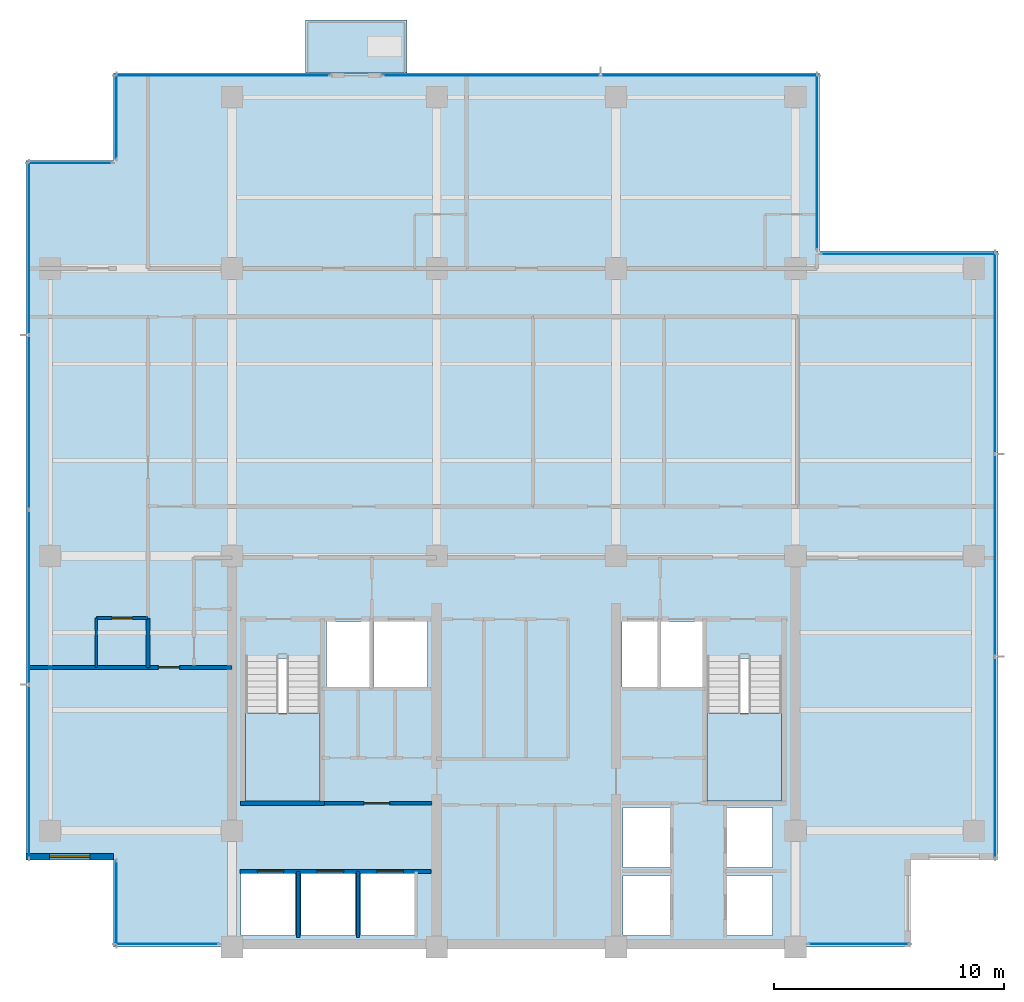
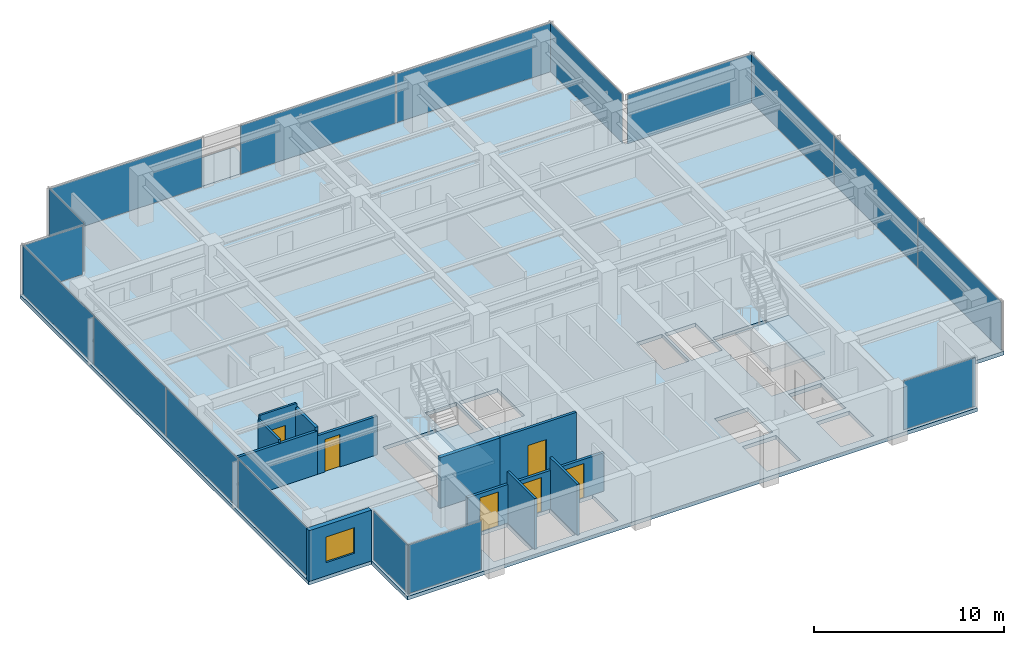
# One storey, part 6 of 14: 17 plates, 11 walls, 6 doors, 4 slabs, 1 window, 7 openings, 13 elements without a shape of their own.
"""IFC4 building model written with IfcOpenShell, lengths in metres."""

from ifc_helpers import new_model, si_unit, direction, frame, frame_2d, origin, origin_2d, place, context, subcontext, project, spatial, polyline, rectangle, outline, extrude, material, layer, layer_set, type_object, element, fill, aggregate, save


model = new_model("IFC4")

# Units and contexts
model_context = context("Model", 3, precision=1e-05, world=origin(), true_north=direction((0.0, 1.0)))
body_context = subcontext(model_context, "Body", "Model", "MODEL_VIEW")
ifc_project = project(units=[si_unit("LENGTHUNIT", "METRE"), si_unit("AREAUNIT", "SQUARE_METRE"), si_unit("VOLUMEUNIT", "CUBIC_METRE"), si_unit("PLANEANGLEUNIT", "RADIAN"), si_unit("MASSUNIT", "GRAM", prefix="KILO")], contexts=[model_context])

# Site, building, storey
site_placement = place(None, origin())
site = spatial("IfcSite", under=ifc_project, at=site_placement, CompositionType="ELEMENT")
building_placement = place(site_placement, origin())
building = spatial("IfcBuilding", under=site, at=building_placement, Name="Qalmaran Belvedere Hotel", CompositionType="ELEMENT")
storey_placement = place(building_placement, frame((0.0, 0.0, 224.89990234375)))
storey = spatial("IfcBuildingStorey", under=building, at=storey_placement, Name="L57", CompositionType="ELEMENT", Elevation=224.89990234375)

# Curtain wall, plate
ifc_material_1 = material(Name="Anodised Bronze Aluminium", Category="aluminium")
ifc_layer_1 = layer(ifc_material_1, 0.18994140625, Name="Anodised Bronze Aluminium")
ifc_layer_set_1 = layer_set([ifc_layer_1], Name="Anodised Bronze Aluminium")
curtain_wall_type = type_object("IfcCurtainWallType", Name="CW5-TOWER-UPPER", PredefinedType="NOTDEFINED", material=ifc_layer_set_1)
curtain_wall_1_placement = place(storey_placement, origin())
curtain_wall_1 = element("IfcCurtainWall", 1, at=curtain_wall_1_placement, inside=storey, type_object=curtain_wall_type, Name="L57 Curtain Wall CW5", PredefinedType="NOTDEFINED")
ifc_material_2 = material(Name="Solar-Control Double Glazing", Category="glass")
ifc_layer_2 = layer(ifc_material_2, 0.028076171875, Name="Solar-Control Double Glazing")
ifc_layer_set_2 = layer_set([ifc_layer_2], Name="Solar-Control Double Glazing")
plate_type = type_object("IfcPlateType", Name="CWP-VISION-28", PredefinedType="CURTAIN_PANEL", material=ifc_layer_set_2)
plate_1_placement = place(storey_placement, frame((17.467529296875, 3.6201171875, 0.065185546875), z_axis=(0.0, 0.0, 1.0), x_axis=(1.0, 0.0, 0.0)))
plate_1 = element("IfcPlate", 2, at=plate_1_placement, type_object=plate_type, Name="CW5 panel 1.1", PredefinedType="CURTAIN_PANEL", context=body_context, shape_type="SweptSolid", body=[
    extrude(rectangle(XDim=4.5048828125, YDim=0.028076171875, at=origin_2d()), origin(), (0.0, 0.0, 1.0), 3.1298828125),
])
aggregate(curtain_wall_1, [plate_1])

curtain_wall_2_placement = place(storey_placement, origin())
curtain_wall_2 = element("IfcCurtainWall", 3, at=curtain_wall_2_placement, inside=storey, type_object=curtain_wall_type, Name="L57 Curtain Wall CW5", PredefinedType="NOTDEFINED")
plate_2_placement = place(storey_placement, frame((47.5576171875, 3.6201171875, 0.065185546875), z_axis=(0.0, 0.0, 1.0), x_axis=(1.0, 0.0, 0.0)))
plate_2 = element("IfcPlate", 4, at=plate_2_placement, type_object=plate_type, Name="CW5 panel 1.1", PredefinedType="CURTAIN_PANEL", context=body_context, shape_type="SweptSolid", body=[
    extrude(rectangle(XDim=4.35498046875, YDim=0.028076171875, at=origin_2d()), origin(), (0.0, 0.0, 1.0), 3.1298828125),
])
aggregate(curtain_wall_2, [plate_2])

# Curtain wall, plates
curtain_wall_3_placement = place(storey_placement, origin())
curtain_wall_3 = element("IfcCurtainWall", 5, at=curtain_wall_3_placement, inside=storey, type_object=curtain_wall_type, Name="L57 Curtain Wall CW5", PredefinedType="NOTDEFINED")
plate_3_placement = place(storey_placement, frame((53.47998046875, 11.724609375, 0.065185546875), z_axis=(0.0, 0.0, 1.0), x_axis=(0.0, 1.0, 0.0)))
plate_3 = element("IfcPlate", 6, at=plate_3_placement, type_object=plate_type, Name="CW5 panel 1.1", PredefinedType="CURTAIN_PANEL", context=body_context, shape_type="SweptSolid", body=[
    extrude(rectangle(XDim=8.71923828125, YDim=0.028076171875, at=origin_2d()), origin(), (0.0, 0.0, 1.0), 3.1298828125),
])
plate_4_placement = place(storey_placement, frame((53.47998046875, 20.52490234375, 0.065185546875), z_axis=(0.0, 0.0, 1.0), x_axis=(0.0, 1.0, 0.0)))
plate_4 = element("IfcPlate", 7, at=plate_4_placement, type_object=plate_type, Name="CW5 panel 2.1", PredefinedType="CURTAIN_PANEL", context=body_context, shape_type="SweptSolid", body=[
    extrude(rectangle(XDim=8.751708984375, YDim=0.028076171875, at=origin_2d()), origin(), (0.0, 0.0, 1.0), 3.1298828125),
])
plate_5_placement = place(storey_placement, frame((53.47998046875, 29.325439453125, 0.065185546875), z_axis=(0.0, 0.0, 1.0), x_axis=(0.0, 1.0, 0.0)))
plate_5 = element("IfcPlate", 8, at=plate_5_placement, type_object=plate_type, Name="CW5 panel 3.1", PredefinedType="CURTAIN_PANEL", context=body_context, shape_type="SweptSolid", body=[
    extrude(rectangle(XDim=8.71923828125, YDim=0.028076171875, at=origin_2d()), origin(), (0.0, 0.0, 1.0), 3.1298828125),
])
aggregate(curtain_wall_3, [plate_3, plate_4, plate_5])

# Curtain wall, plate
curtain_wall_4_placement = place(storey_placement, origin())
curtain_wall_4 = element("IfcCurtainWall", 9, at=curtain_wall_4_placement, inside=storey, type_object=curtain_wall_type, Name="L57 Curtain Wall CW5", PredefinedType="NOTDEFINED")
plate_6_placement = place(storey_placement, frame((49.72509765625, 33.6298828125, 0.065185546875), z_axis=(0.0, 0.0, 1.0), x_axis=(-1.0, 0.0, 0.0)))
plate_6 = element("IfcPlate", 10, at=plate_6_placement, type_object=plate_type, Name="CW5 panel 1.1", PredefinedType="CURTAIN_PANEL", context=body_context, shape_type="SweptSolid", body=[
    extrude(rectangle(XDim=7.6201171875, YDim=0.028076171875, at=origin_2d()), origin(), (0.0, 0.0, 1.0), 3.1298828125),
])
aggregate(curtain_wall_4, [plate_6])

curtain_wall_5_placement = place(storey_placement, origin())
curtain_wall_5 = element("IfcCurtainWall", 11, at=curtain_wall_5_placement, inside=storey, type_object=curtain_wall_type, Name="L57 Curtain Wall CW5", PredefinedType="NOTDEFINED")
plate_7_placement = place(storey_placement, frame((45.72998046875, 37.625, 0.065185546875), z_axis=(0.0, 0.0, 1.0), x_axis=(0.0, 1.0, 0.0)))
plate_7 = element("IfcPlate", 12, at=plate_7_placement, type_object=plate_type, Name="CW5 panel 1.1", PredefinedType="CURTAIN_PANEL", context=body_context, shape_type="SweptSolid", body=[
    extrude(rectangle(XDim=7.6201171875, YDim=0.028076171875, at=origin_2d()), origin(), (0.0, 0.0, 1.0), 3.1298828125),
])
aggregate(curtain_wall_5, [plate_7])

curtain_wall_6_placement = place(storey_placement, origin())
curtain_wall_6 = element("IfcCurtainWall", 13, at=curtain_wall_6_placement, inside=storey, type_object=curtain_wall_type, Name="L57 Curtain Wall CW5", PredefinedType="NOTDEFINED")
plate_8_placement = place(storey_placement, frame((19.875, 41.3798828125, 0.065185546875), z_axis=(0.0, 0.0, 1.0), x_axis=(-1.0, 0.0, 0.0)))
plate_8 = element("IfcPlate", 14, at=plate_8_placement, type_object=plate_type, Name="CW5 panel 1.1", PredefinedType="CURTAIN_PANEL", context=body_context, shape_type="SweptSolid", body=[
    extrude(rectangle(XDim=9.320068359375, YDim=0.028076171875, at=origin_2d()), origin(), (0.0, 0.0, 1.0), 3.1298828125),
])
aggregate(curtain_wall_6, [plate_8])

# Curtain wall, plates
curtain_wall_7_placement = place(storey_placement, origin())
curtain_wall_7 = element("IfcCurtainWall", 15, at=curtain_wall_7_placement, inside=storey, type_object=curtain_wall_type, Name="L57 Curtain Wall CW5", PredefinedType="NOTDEFINED")
plate_9_placement = place(storey_placement, frame((41.0712890625, 41.3798828125, 0.065185546875), z_axis=(0.0, 0.0, 1.0), x_axis=(-1.0, 0.0, 0.0)))
plate_9 = element("IfcPlate", 16, at=plate_9_placement, type_object=plate_type, Name="CW5 panel 1.1", PredefinedType="CURTAIN_PANEL", context=body_context, shape_type="SweptSolid", body=[
    extrude(rectangle(XDim=9.427490234375, YDim=0.028076171875, at=origin_2d()), origin(), (0.0, 0.0, 1.0), 3.1298828125),
])
plate_10_placement = place(storey_placement, frame((31.578857421875, 41.3798828125, 0.065185546875), z_axis=(0.0, 0.0, 1.0), x_axis=(-1.0, 0.0, 0.0)))
plate_10 = element("IfcPlate", 17, at=plate_10_placement, type_object=plate_type, Name="CW5 panel 2.1", PredefinedType="CURTAIN_PANEL", context=body_context, shape_type="SweptSolid", body=[
    extrude(rectangle(XDim=9.427490234375, YDim=0.028076171875, at=origin_2d()), origin(), (0.0, 0.0, 1.0), 3.1298828125),
])
aggregate(curtain_wall_7, [plate_9, plate_10])

# Curtain wall, plate
curtain_wall_8_placement = place(storey_placement, origin())
curtain_wall_8 = element("IfcCurtainWall", 18, at=curtain_wall_8_placement, inside=storey, type_object=curtain_wall_type, Name="L57 Curtain Wall CW5", PredefinedType="NOTDEFINED")
plate_11_placement = place(storey_placement, frame((15.27001953125, 39.60009765625, 0.065185546875), z_axis=(0.0, 0.0, 1.0), x_axis=(0.0, -1.0, 0.0)))
plate_11 = element("IfcPlate", 19, at=plate_11_placement, type_object=plate_type, Name="CW5 panel 1.1", PredefinedType="CURTAIN_PANEL", context=body_context, shape_type="SweptSolid", body=[
    extrude(rectangle(XDim=3.669921875, YDim=0.028076171875, at=origin_2d()), origin(), (0.0, 0.0, 1.0), 3.1298828125),
])
aggregate(curtain_wall_8, [plate_11])

curtain_wall_9_placement = place(storey_placement, origin())
curtain_wall_9 = element("IfcCurtainWall", 20, at=curtain_wall_9_placement, inside=storey, type_object=curtain_wall_type, Name="L57 Curtain Wall CW5", PredefinedType="NOTDEFINED")
plate_12_placement = place(storey_placement, frame((13.25, 37.580078125, 0.065185546875), z_axis=(0.0, 0.0, 1.0), x_axis=(-1.0, 0.0, 0.0)))
plate_12 = element("IfcPlate", 21, at=plate_12_placement, type_object=plate_type, Name="CW5 panel 1.1", PredefinedType="CURTAIN_PANEL", context=body_context, shape_type="SweptSolid", body=[
    extrude(rectangle(XDim=3.669921875, YDim=0.028076171875, at=origin_2d()), origin(), (0.0, 0.0, 1.0), 3.1298828125),
])
aggregate(curtain_wall_9, [plate_12])

# Curtain wall, plates
curtain_wall_10_placement = place(storey_placement, origin())
curtain_wall_10 = element("IfcCurtainWall", 22, at=curtain_wall_10_placement, inside=storey, type_object=curtain_wall_type, Name="L57 Curtain Wall CW5", PredefinedType="NOTDEFINED")
plate_13_placement = place(storey_placement, frame((11.469970703125, 33.8837890625, 0.065185546875), z_axis=(0.0, 0.0, 1.0), x_axis=(0.0, -1.0, 0.0)))
plate_13 = element("IfcPlate", 23, at=plate_13_placement, type_object=plate_type, Name="CW5 panel 1.1", PredefinedType="CURTAIN_PANEL", context=body_context, shape_type="SweptSolid", body=[
    extrude(rectangle(XDim=7.50244140625, YDim=0.028076171875, at=origin_2d()), origin(), (0.0, 0.0, 1.0), 3.1298828125),
])
plate_14_placement = place(storey_placement, frame((11.469970703125, 26.300048828125, 0.065185546875), z_axis=(0.0, 0.0, 1.0), x_axis=(0.0, -1.0, 0.0)))
plate_14 = element("IfcPlate", 24, at=plate_14_placement, type_object=plate_type, Name="CW5 panel 2.1", PredefinedType="CURTAIN_PANEL", context=body_context, shape_type="SweptSolid", body=[
    extrude(rectangle(XDim=7.534912109375, YDim=0.028076171875, at=origin_2d()), origin(), (0.0, 0.0, 1.0), 3.1298828125),
])
plate_15_placement = place(storey_placement, frame((11.469970703125, 18.699951171875, 0.065185546875), z_axis=(0.0, 0.0, 1.0), x_axis=(0.0, -1.0, 0.0)))
plate_15 = element("IfcPlate", 25, at=plate_15_placement, type_object=plate_type, Name="CW5 panel 3.1", PredefinedType="CURTAIN_PANEL", context=body_context, shape_type="SweptSolid", body=[
    extrude(rectangle(XDim=7.534912109375, YDim=0.028076171875, at=origin_2d()), origin(), (0.0, 0.0, 1.0), 3.1298828125),
])
plate_16_placement = place(storey_placement, frame((11.469970703125, 11.1162109375, 0.065185546875), z_axis=(0.0, 0.0, 1.0), x_axis=(0.0, -1.0, 0.0)))
plate_16 = element("IfcPlate", 26, at=plate_16_placement, type_object=plate_type, Name="CW5 panel 4.1", PredefinedType="CURTAIN_PANEL", context=body_context, shape_type="SweptSolid", body=[
    extrude(rectangle(XDim=7.50244140625, YDim=0.028076171875, at=origin_2d()), origin(), (0.0, 0.0, 1.0), 3.1298828125),
])
aggregate(curtain_wall_10, [plate_13, plate_14, plate_15, plate_16])

# Curtain wall, plate
curtain_wall_11_placement = place(storey_placement, origin())
curtain_wall_11 = element("IfcCurtainWall", 27, at=curtain_wall_11_placement, inside=storey, type_object=curtain_wall_type, Name="L57 Curtain Wall CW5", PredefinedType="NOTDEFINED")
plate_17_placement = place(storey_placement, frame((15.27001953125, 5.39990234375, 0.065185546875), z_axis=(0.0, 0.0, 1.0), x_axis=(0.0, -1.0, 0.0)))
plate_17 = element("IfcPlate", 28, at=plate_17_placement, type_object=plate_type, Name="CW5 panel 1.1", PredefinedType="CURTAIN_PANEL", context=body_context, shape_type="SweptSolid", body=[
    extrude(rectangle(XDim=3.669921875, YDim=0.028076171875, at=origin_2d()), origin(), (0.0, 0.0, 1.0), 3.1298828125),
])
aggregate(curtain_wall_11, [plate_17])

# Slab
ifc_material_3 = material(Name="Concrete C40/50", Category="concrete")
ifc_layer_3 = layer(ifc_material_3, 0.219970703125, Name="Concrete C40/50")
ifc_layer_set_3 = layer_set([ifc_layer_3], Name="Concrete C40/50")
slab_type_1 = type_object("IfcSlabType", Name="SLB-BAL-220", PredefinedType="USERDEFINED", material=ifc_layer_set_3)
slab_1_placement = place(storey_placement, frame((0.0, 0.0, -0.219970703125)))
element("IfcSlab", 29, at=slab_1_placement, inside=storey, type_object=slab_type_1, Name="L57 Planted Tree Balcony Slab 1", ObjectType="BALCONY", PredefinedType="USERDEFINED", context=body_context, shape_type="SweptSolid", body=[
    extrude(outline(polyline([(23.5, 41.5), (27.89990234375, 41.5), (27.89990234375, 43.800048828125), (23.5, 43.800048828125), (23.5, 41.5)])), origin(), (0.0, 0.0, 1.0), 0.219970703125),
])

# Stair, slab
stair_type_1 = type_object("IfcStairType", Name="STR-ST-1-1450-R1750", PredefinedType="HALF_TURN_STAIR", material=ifc_material_3)
stair_1_placement = place(storey_placement, origin())
stair_1 = element("IfcStair", 30, at=stair_1_placement, inside=storey, type_object=stair_type_1, Name="L57 West Core Exit Stair ST-1", PredefinedType="HALF_TURN_STAIR")
ifc_layer_4 = layer(ifc_material_3, 0.199951171875, Name="Concrete C40/50")
ifc_layer_set_4 = layer_set([ifc_layer_4], Name="Concrete C40/50")
slab_type_2 = type_object("IfcSlabType", Name="SLB-STAIR-LANDING-200", PredefinedType="LANDING", material=ifc_layer_set_4)
slab_2_placement = place(storey_placement, frame((0.0, 0.0, 1.550048828125)))
slab_2 = element("IfcSlab", 31, at=slab_2_placement, type_object=slab_type_2, Name="ST-1 landing 1", PredefinedType="LANDING", context=body_context, shape_type="SweptSolid", body=[
    extrude(outline(polyline([(20.8798828125, 13.669921875), (20.8798828125, 9.85009765625), (24.1201171875, 9.85009765625), (24.1201171875, 13.669921875), (20.8798828125, 13.669921875)])), origin(), (0.0, 0.0, 1.0), 0.199951171875),
])
aggregate(stair_1, [slab_2])

stair_type_2 = type_object("IfcStairType", Name="STR-ST-2-1450-R1750", PredefinedType="HALF_TURN_STAIR", material=ifc_material_3)
stair_2_placement = place(storey_placement, origin())
stair_2 = element("IfcStair", 32, at=stair_2_placement, inside=storey, type_object=stair_type_2, Name="L57 East Core Exit Stair ST-2", PredefinedType="HALF_TURN_STAIR")
slab_3_placement = place(storey_placement, frame((0.0, 0.0, 1.550048828125)))
slab_3 = element("IfcSlab", 33, at=slab_3_placement, type_object=slab_type_2, Name="ST-2 landing 1", PredefinedType="LANDING", context=body_context, shape_type="SweptSolid", body=[
    extrude(outline(polyline([(40.9599609375, 13.669921875), (40.9599609375, 9.85009765625), (44.199951171875, 9.85009765625), (44.199951171875, 13.669921875), (40.9599609375, 13.669921875)])), origin(), (0.0, 0.0, 1.0), 0.199951171875),
])
aggregate(stair_2, [slab_3])

# Slab
ifc_layer_5 = layer(ifc_material_3, 0.239990234375, Name="Concrete C40/50")
ifc_layer_set_5 = layer_set([ifc_layer_5], Name="Concrete C40/50")
slab_type_3 = type_object("IfcSlabType", Name="SLB-Z4-240", PredefinedType="FLOOR", material=ifc_layer_set_5)
slab_4_placement = place(storey_placement, frame((0.0, 0.0, -0.239990234375)))
element("IfcSlab", 34, at=slab_4_placement, inside=storey, type_object=slab_type_3, Name="L57 Structural Floor Slab", PredefinedType="FLOOR", context=body_context, shape_type="SweptSolid", body=[
    extrude(outline(polyline([(15.14990234375, 3.5), (49.800048828125, 3.5), (49.800048828125, 7.300048828125), (53.60009765625, 7.300048828125), (53.60009765625, 33.75), (45.85009765625, 33.75), (45.85009765625, 41.5), (15.14990234375, 41.5), (15.14990234375, 37.699951171875), (11.35009765625, 37.699951171875), (11.35009765625, 7.300048828125), (15.14990234375, 7.300048828125), (15.14990234375, 3.5)]), holes=[polyline([(20.8798828125, 9.85009765625), (24.1201171875, 9.85009765625), (24.1201171875, 16.0400390625), (20.8798828125, 16.0400390625), (20.8798828125, 9.85009765625)]), polyline([(40.9599609375, 9.85009765625), (44.199951171875, 9.85009765625), (44.199951171875, 16.0400390625), (40.9599609375, 16.0400390625), (40.9599609375, 9.85009765625)]), polyline([(37.300048828125, 4.0), (39.35009765625, 4.0), (39.35009765625, 6.60009765625), (37.300048828125, 6.60009765625), (37.300048828125, 4.0)]), polyline([(37.300048828125, 6.949951171875), (39.35009765625, 6.949951171875), (39.35009765625, 9.550048828125), (37.300048828125, 9.550048828125), (37.300048828125, 6.949951171875)]), polyline([(41.800048828125, 4.0), (43.800048828125, 4.0), (43.800048828125, 6.60009765625), (41.800048828125, 6.60009765625), (41.800048828125, 4.0)]), polyline([(41.800048828125, 6.949951171875), (43.800048828125, 6.949951171875), (43.800048828125, 9.550048828125), (41.800048828125, 9.550048828125), (41.800048828125, 6.949951171875)]), polyline([(20.699951171875, 4.0), (23.050048828125, 4.0), (23.050048828125, 6.699951171875), (20.699951171875, 6.699951171875), (20.699951171875, 4.0)]), polyline([(23.300048828125, 4.0), (25.64990234375, 4.0), (25.64990234375, 6.699951171875), (23.300048828125, 6.699951171875), (23.300048828125, 4.0)]), polyline([(25.89990234375, 4.0), (28.25, 4.0), (28.25, 6.699951171875), (25.89990234375, 6.699951171875), (25.89990234375, 4.0)]), polyline([(24.39990234375, 14.800048828125), (26.300048828125, 14.800048828125), (26.300048828125, 17.64990234375), (24.39990234375, 17.64990234375), (24.39990234375, 14.800048828125)]), polyline([(38.949951171875, 14.800048828125), (40.820068359375, 14.800048828125), (40.820068359375, 17.64990234375), (38.949951171875, 17.64990234375), (38.949951171875, 14.800048828125)]), polyline([(26.449951171875, 14.800048828125), (28.800048828125, 14.800048828125), (28.800048828125, 17.64990234375), (26.449951171875, 17.64990234375), (26.449951171875, 14.800048828125)]), polyline([(37.25, 14.800048828125), (38.800048828125, 14.800048828125), (38.800048828125, 17.64990234375), (37.25, 17.64990234375), (37.25, 14.800048828125)])]), origin(), (0.0, 0.0, 1.0), 0.239990234375),
])

# Wall, opening, window
ifc_material_4 = material(Name="Anodised Bronze Cladding")
ifc_layer_6 = layer(ifc_material_4, 0.280029296875, Name="Anodised Bronze Cladding")
ifc_layer_set_6 = layer_set([ifc_layer_6], Name="Anodised Bronze Cladding")
wall_type_1 = type_object("IfcWallType", Name="WL-EXT-BRNZ-280", PredefinedType="SOLIDWALL", material=ifc_layer_set_6)
wall_1_placement = place(storey_placement, frame((11.35009765625, 7.419921875, 0.0), z_axis=(0.0, 0.0, 1.0), x_axis=(1.0, 0.0, 0.0)))
wall_1 = element("IfcWall", 35, at=wall_1_placement, inside=storey, type_object=wall_type_1, Name="L57 Corner Notch Wall 10", PredefinedType="SOLIDWALL", context=body_context, shape_type="SweptSolid", body=[
    extrude(rectangle(XDim=3.7998046875, YDim=0.280029296875, at=frame_2d((1.89990234375, 0.0))), origin(), (0.0, 0.0, 1.0), 3.260009765625),
])
opening_1_placement = place(wall_1_placement, frame((1.02490234375, 0.0, 0.85009765625)))
opening_1 = element("IfcOpeningElement", 36, at=opening_1_placement, cuts=wall_1, Name="Opening W-N17", PredefinedType="OPENING", context=body_context, shape_type="SweptSolid", body=[
    extrude(rectangle(XDim=1.75, YDim=1.64990234375, at=frame_2d((0.875, 0.824951171875))), frame((0.0, 0.14990234375, 0.0), z_axis=(0.0, -1.0, 0.0), x_axis=(1.0, 0.0, 0.0)), (0.0, 0.0, 1.0), 0.300048828125),
])
window_type = type_object("IfcWindowType", Name="WN-NTC-1750X1650", PartitioningType="SINGLE_PANEL", PredefinedType="WINDOW", material=ifc_material_2)
window_placement = place(opening_1_placement, origin())
window = element("IfcWindow", 37, at=window_placement, inside=storey, type_object=window_type, Name="L57 Corner Notch Window 10", OverallHeight=1.64990234375, OverallWidth=1.75, PartitioningType="SINGLE_PANEL", PredefinedType="WINDOW", context=body_context, shape_type="SweptSolid", body=[
    extrude(rectangle(XDim=1.75, YDim=1.64990234375, at=frame_2d((0.875, 0.824951171875))), frame((0.0, 0.030029296875, 0.0), z_axis=(0.0, -1.0, 0.0), x_axis=(1.0, 0.0, 0.0)), (0.0, 0.0, 1.0), 0.06005859375),
])
fill(opening_1, window)

# Wall, opening, door
ifc_material_5 = material(Name="Moisture-Resistant Gypsum")
ifc_layer_7 = layer(ifc_material_5, 0.1201171875, Name="Moisture-Resistant Gypsum")
ifc_layer_set_7 = layer_set([ifc_layer_7], Name="Moisture-Resistant Gypsum")
wall_type_2 = type_object("IfcWallType", Name="WL-INT-120-BATH", PredefinedType="PARTITIONING", material=ifc_layer_set_7)
wall_2_placement = place(storey_placement, frame((14.39990234375, 17.800048828125, 0.0), z_axis=(0.0, 0.0, 1.0), x_axis=(1.0, 0.0, 0.0)))
wall_2 = element("IfcWall", 38, at=wall_2_placement, inside=storey, type_object=wall_type_2, Name="L57 Partition WL-L57-WBN00", PredefinedType="PARTITIONING", context=body_context, shape_type="SweptSolid", body=[
    extrude(rectangle(XDim=2.25, YDim=0.1201171875, at=frame_2d((1.125, 0.0))), origin(), (0.0, 0.0, 1.0), 3.260009765625),
])
opening_2_placement = place(wall_2_placement, frame((1.56494140625, 0.0, 0.0), z_axis=(0.0, 0.0, 1.0), x_axis=(-1.0, 0.0, 0.0)))
opening_2 = element("IfcOpeningElement", 39, at=opening_2_placement, cuts=wall_2, Name="Opening D-BATH", PredefinedType="OPENING", context=body_context, shape_type="SweptSolid", body=[
    extrude(rectangle(XDim=0.8798828125, YDim=2.080078125, at=frame_2d((0.43994140625, 1.0400390625))), frame((0.0, 0.070068359375, 0.0), z_axis=(0.0, -1.0, 0.0), x_axis=(1.0, 0.0, 0.0)), (0.0, 0.0, 1.0), 0.14013671875),
])
ifc_material_6 = material(Name="Engineered Oak Veneer")
door_type_1 = type_object("IfcDoorType", Name="DR-INT-BATH-880X2080", OperationType="NOTDEFINED", PredefinedType="DOOR", material=ifc_material_6)
door_1_placement = place(opening_2_placement, origin())
door_1 = element("IfcDoor", 40, at=door_1_placement, inside=storey, type_object=door_type_1, Name="L57 W Ensuite Door 01", OperationType="SINGLE_SWING_LEFT", OverallHeight=2.080078125, OverallWidth=0.8798828125, PredefinedType="DOOR", context=body_context, shape_type="SweptSolid", body=[
    extrude(rectangle(XDim=0.8798828125, YDim=2.080078125, at=frame_2d((0.43994140625, 1.0400390625))), frame((0.0, 0.02490234375, 0.0), z_axis=(0.0, -1.0, 0.0), x_axis=(1.0, 0.0, 0.0)), (0.0, 0.0, 1.0), 0.050048828125),
])
fill(opening_2, door_1)

# Walls
wall_3_placement = place(storey_placement, frame((14.39990234375, 15.64990234375, 0.0), z_axis=(0.0, 0.0, 1.0), x_axis=(0.0, 1.0, 0.0)))
element("IfcWall", 41, at=wall_3_placement, inside=storey, type_object=wall_type_2, Name="L57 Partition WL-L57-WBS00", PredefinedType="PARTITIONING", context=body_context, shape_type="SweptSolid", body=[
    extrude(rectangle(XDim=2.150146484375, YDim=0.1201171875, at=frame_2d((1.0751953125, 0.0))), origin(), (0.0, 0.0, 1.0), 2.998046875),
])
ifc_material_7 = material(Name="Gypsum Stud Partition")
ifc_layer_8 = layer(ifc_material_7, 0.14990234375, Name="Gypsum Stud Partition")
ifc_layer_set_8 = layer_set([ifc_layer_8], Name="Gypsum Stud Partition")
wall_type_3 = type_object("IfcWallType", Name="WL-INT-150-EI120", PredefinedType="PARTITIONING", material=ifc_layer_set_8)
for number, where, z_axis, x_axis, name in (
    (42, (23.179931640625, 3.89990234375, 0.0), (0.0, 0.0, 1.0), (0.0, 1.0, 0.0), "L57 Partition WL-POM1-L57"),
    (43, (25.780029296875, 3.89990234375, 0.0), (0.0, 0.0, 1.0), (0.0, 1.0, 0.0), "L57 Partition WL-POM2-L57"),
):
    element("IfcWall", number, at=place(storey_placement, frame(where, z_axis=z_axis, x_axis=x_axis)), inside=storey, type_object=wall_type_3, Name=name, PredefinedType="PARTITIONING", context=body_context, shape_type="SweptSolid", body=[
        extrude(rectangle(XDim=2.880126953125, YDim=0.14990234375, at=frame_2d((1.43994140625, 0.0))), origin(), (0.0, 0.0, 1.0), 3.260009765625),
    ])

# Wall, openings, doors
ifc_layer_9 = layer(ifc_material_7, 0.159912109375, Name="Gypsum Stud Partition")
ifc_layer_set_9 = layer_set([ifc_layer_9], Name="Gypsum Stud Partition")
wall_type_4 = type_object("IfcWallType", Name="WL-INT-160-EI120", PredefinedType="PARTITIONING", material=ifc_layer_set_9)
wall_4_placement = place(storey_placement, frame((20.64990234375, 6.780029296875, 0.0), z_axis=(0.0, 0.0, 1.0), x_axis=(1.0, 0.0, 0.0)))
wall_4 = element("IfcWall", 44, at=wall_4_placement, inside=storey, type_object=wall_type_4, Name="L57 Partition WL-POS-L57", PredefinedType="PARTITIONING", context=body_context, shape_type="SweptSolid", body=[
    extrude(rectangle(XDim=8.300048828125, YDim=0.159912109375, at=frame_2d((4.14990234375, 0.0))), origin(), (0.0, 0.0, 1.0), 2.47216796875),
])
opening_3_placement = place(wall_4_placement, frame((0.75, 0.0, 0.0)))
opening_3 = element("IfcOpeningElement", 45, at=opening_3_placement, cuts=wall_4, Name="Opening LD-PO", PredefinedType="OPENING", context=body_context, shape_type="SweptSolid", body=[
    extrude(rectangle(XDim=1.14990234375, YDim=2.199951171875, at=frame_2d((0.574951171875, 1.10009765625))), frame((0.0, 0.08984375, 0.0), z_axis=(0.0, -1.0, 0.0), x_axis=(1.0, 0.0, 0.0)), (0.0, 0.0, 1.0), 0.179931640625),
])
opening_4_placement = place(wall_4_placement, frame((3.35009765625, 0.0, 0.0)))
opening_4 = element("IfcOpeningElement", 46, at=opening_4_placement, cuts=wall_4, Name="Opening LD-PO", PredefinedType="OPENING", context=body_context, shape_type="SweptSolid", body=[
    extrude(rectangle(XDim=1.14990234375, YDim=2.199951171875, at=frame_2d((0.574951171875, 1.10009765625))), frame((0.0, 0.08984375, 0.0), z_axis=(0.0, -1.0, 0.0), x_axis=(1.0, 0.0, 0.0)), (0.0, 0.0, 1.0), 0.179931640625),
])
opening_5_placement = place(wall_4_placement, frame((5.949951171875, 0.0, 0.0)))
opening_5 = element("IfcOpeningElement", 47, at=opening_5_placement, cuts=wall_4, Name="Opening LD-PO", PredefinedType="OPENING", context=body_context, shape_type="SweptSolid", body=[
    extrude(rectangle(XDim=1.14990234375, YDim=2.199951171875, at=frame_2d((0.574951171875, 1.10009765625))), frame((0.0, 0.08984375, 0.0), z_axis=(0.0, -1.0, 0.0), x_axis=(1.0, 0.0, 0.0)), (0.0, 0.0, 1.0), 0.179931640625),
])
door_type_2 = type_object("IfcDoorType", Name="DR-LIFT-PO-1150X2200", OperationType="DOUBLE_DOOR_SLIDING", PredefinedType="DOOR", material=ifc_material_1)
door_2_placement = place(opening_3_placement, origin())
door_2 = element("IfcDoor", 48, at=door_2_placement, inside=storey, type_object=door_type_2, Name="L57 PO1 Shuttle Landing Door", OperationType="DOUBLE_DOOR_SLIDING", OverallHeight=2.199951171875, OverallWidth=1.14990234375, PredefinedType="DOOR", context=body_context, shape_type="SweptSolid", body=[
    extrude(rectangle(XDim=1.14990234375, YDim=2.199951171875, at=frame_2d((0.574951171875, 1.10009765625))), frame((0.0, 0.02490234375, 0.0), z_axis=(0.0, -1.0, 0.0), x_axis=(1.0, 0.0, 0.0)), (0.0, 0.0, 1.0), 0.050048828125),
])
fill(opening_3, door_2)
door_3_placement = place(opening_4_placement, origin())
door_3 = element("IfcDoor", 49, at=door_3_placement, inside=storey, type_object=door_type_2, Name="L57 PO2 Shuttle Landing Door", OperationType="DOUBLE_DOOR_SLIDING", OverallHeight=2.199951171875, OverallWidth=1.14990234375, PredefinedType="DOOR", context=body_context, shape_type="SweptSolid", body=[
    extrude(rectangle(XDim=1.14990234375, YDim=2.199951171875, at=frame_2d((0.574951171875, 1.10009765625))), frame((0.0, 0.02490234375, 0.0), z_axis=(0.0, -1.0, 0.0), x_axis=(1.0, 0.0, 0.0)), (0.0, 0.0, 1.0), 0.050048828125),
])
fill(opening_4, door_3)
door_4_placement = place(opening_5_placement, origin())
door_4 = element("IfcDoor", 50, at=door_4_placement, inside=storey, type_object=door_type_2, Name="L57 PO3 Shuttle Landing Door", OperationType="DOUBLE_DOOR_SLIDING", OverallHeight=2.199951171875, OverallWidth=1.14990234375, PredefinedType="DOOR", context=body_context, shape_type="SweptSolid", body=[
    extrude(rectangle(XDim=1.14990234375, YDim=2.199951171875, at=frame_2d((0.574951171875, 1.10009765625))), frame((0.0, 0.02490234375, 0.0), z_axis=(0.0, -1.0, 0.0), x_axis=(1.0, 0.0, 0.0)), (0.0, 0.0, 1.0), 0.050048828125),
])
fill(opening_5, door_4)

# Wall, opening, door
wall_5_placement = place(storey_placement, frame((24.199951171875, 9.739990234375, 0.0), z_axis=(0.0, 0.0, 1.0), x_axis=(1.0, 0.0, 0.0)))
wall_5 = element("IfcWall", 51, at=wall_5_placement, inside=storey, type_object=wall_type_4, Name="L57 Partition WL-PON-L57", PredefinedType="PARTITIONING", context=body_context, shape_type="SweptSolid", body=[
    extrude(rectangle(XDim=4.800048828125, YDim=0.159912109375, at=frame_2d((2.39990234375, 0.0))), origin(), (0.0, 0.0, 1.0), 3.260009765625),
])
opening_6_placement = place(wall_5_placement, frame((1.85009765625, 0.0, 0.0)))
opening_6 = element("IfcOpeningElement", 52, at=opening_6_placement, cuts=wall_5, Name="Opening FD90", PredefinedType="OPENING", context=body_context, shape_type="SweptSolid", body=[
    extrude(rectangle(XDim=1.10009765625, YDim=2.14990234375, at=frame_2d((0.550048828125, 1.074951171875))), frame((0.0, 0.08984375, 0.0), z_axis=(0.0, -1.0, 0.0), x_axis=(1.0, 0.0, 0.0)), (0.0, 0.0, 1.0), 0.179931640625),
])
ifc_material_8 = material(Name="Steel S355JR", Category="steel")
door_type_3 = type_object("IfcDoorType", Name="DR-FD90-1100X2150", OperationType="NOTDEFINED", PredefinedType="DOOR", material=ifc_material_8)
door_5_placement = place(opening_6_placement, origin())
door_5 = element("IfcDoor", 53, at=door_5_placement, inside=storey, type_object=door_type_3, Name="L57 Shuttle Lobby Passage Door", OperationType="SINGLE_SWING_RIGHT", OverallHeight=2.14990234375, OverallWidth=1.10009765625, PredefinedType="DOOR", context=body_context, shape_type="SweptSolid", body=[
    extrude(rectangle(XDim=1.10009765625, YDim=2.14990234375, at=frame_2d((0.550048828125, 1.074951171875))), frame((0.0, 0.02490234375, 0.0), z_axis=(0.0, -1.0, 0.0), x_axis=(1.0, 0.0, 0.0)), (0.0, 0.0, 1.0), 0.050048828125),
])
fill(opening_6, door_5)

ifc_layer_10 = layer(ifc_material_7, 0.159912109375, Name="Gypsum Stud Partition")
ifc_layer_set_10 = layer_set([ifc_layer_10], Name="Gypsum Stud Partition")
wall_type_5 = type_object("IfcWallType", Name="WL-INT-160-EI60", PredefinedType="PARTITIONING", material=ifc_layer_set_10)
wall_6_placement = place(storey_placement, frame((16.64990234375, 15.64990234375, 0.0), z_axis=(0.0, 0.0, 1.0), x_axis=(1.0, 0.0, 0.0)))
wall_6 = element("IfcWall", 54, at=wall_6_placement, inside=storey, type_object=wall_type_5, Name="L57 Partition WL-L57-SWRL", PredefinedType="PARTITIONING", context=body_context, shape_type="SweptSolid", body=[
    extrude(rectangle(XDim=3.650146484375, YDim=0.159912109375, at=frame_2d((1.8251953125, 0.0))), origin(), (0.0, 0.0, 1.0), 2.47216796875),
])
opening_7_placement = place(wall_6_placement, frame((1.369873046875, 0.0, 0.0), z_axis=(0.0, 0.0, 1.0), x_axis=(-1.0, 0.0, 0.0)))
opening_7 = element("IfcOpeningElement", 55, at=opening_7_placement, cuts=wall_6, Name="Opening FD60S1", PredefinedType="OPENING", context=body_context, shape_type="SweptSolid", body=[
    extrude(rectangle(XDim=0.919921875, YDim=2.080078125, at=frame_2d((0.4599609375, 1.0400390625))), frame((0.0, 0.08984375, 0.0), z_axis=(0.0, -1.0, 0.0), x_axis=(1.0, 0.0, 0.0)), (0.0, 0.0, 1.0), 0.179931640625),
])
door_type_4 = type_object("IfcDoorType", Name="DR-FD60S-920X2080", OperationType="NOTDEFINED", PredefinedType="DOOR", material=ifc_material_6)
door_6_placement = place(opening_7_placement, origin())
door_6 = element("IfcDoor", 56, at=door_6_placement, inside=storey, type_object=door_type_4, Name="L57 SW Study Door", OperationType="SINGLE_SWING_RIGHT", OverallHeight=2.080078125, OverallWidth=0.919921875, PredefinedType="DOOR", context=body_context, shape_type="SweptSolid", body=[
    extrude(rectangle(XDim=0.919921875, YDim=2.080078125, at=frame_2d((0.4599609375, 1.0400390625))), frame((0.0, 0.02490234375, 0.0), z_axis=(0.0, -1.0, 0.0), x_axis=(1.0, 0.0, 0.0)), (0.0, 0.0, 1.0), 0.050048828125),
])
fill(opening_7, door_6)

# Walls
wall_7_placement = place(storey_placement, frame((11.469970703125, 15.64990234375, 0.0), z_axis=(0.0, 0.0, 1.0), x_axis=(1.0, 0.0, 0.0)))
element("IfcWall", 57, at=wall_7_placement, inside=storey, type_object=wall_type_5, Name="L57 Partition WL-L57-WBOT", PredefinedType="PARTITIONING", context=body_context, shape_type="SweptSolid", body=[
    extrude(rectangle(XDim=5.179931640625, YDim=0.159912109375, at=frame_2d((2.58984375, 0.0))), origin(), (0.0, 0.0, 1.0), 2.781982421875),
])
ifc_layer_11 = layer(ifc_material_7, 0.179931640625, Name="Gypsum Stud Partition")
ifc_layer_set_11 = layer_set([ifc_layer_11], Name="Gypsum Stud Partition")
wall_type_6 = type_object("IfcWallType", Name="WL-INT-180-EI60", PredefinedType="PARTITIONING", material=ifc_layer_set_11)
wall_8_placement = place(storey_placement, frame((16.64990234375, 15.64990234375, 0.0), z_axis=(0.0, 0.0, 1.0), x_axis=(0.0, 1.0, 0.0)))
element("IfcWall", 58, at=wall_8_placement, inside=storey, type_object=wall_type_6, Name="L57 Partition WL-L57-WBC00", PredefinedType="PARTITIONING", context=body_context, shape_type="SweptSolid", body=[
    extrude(rectangle(XDim=2.150146484375, YDim=0.179931640625, at=frame_2d((1.0751953125, 0.0))), origin(), (0.0, 0.0, 1.0), 2.998046875),
])
ifc_material_9 = material(Name="Concrete C50/60", Category="concrete")
ifc_layer_12 = layer(ifc_material_9, 0.2099609375, Name="Concrete C50/60")
ifc_layer_set_12 = layer_set([ifc_layer_12], Name="Concrete C50/60")
wall_type_7 = type_object("IfcWallType", Name="WL-STAIR-210-C50", PredefinedType="SHEAR", material=ifc_layer_set_12)
wall_9_placement = place(storey_placement, frame((20.669921875, 9.7451171875, 0.0), z_axis=(0.0, 0.0, 1.0), x_axis=(1.0, 0.0, 0.0)))
element("IfcWall", 59, at=wall_9_placement, inside=storey, type_object=wall_type_7, Name="L57 Stair ST-1 South Bearing Wall", PredefinedType="SHEAR", context=body_context, shape_type="SweptSolid", body=[
    extrude(rectangle(XDim=3.66015625, YDim=0.2099609375, at=frame_2d((1.830078125, 0.0))), origin(), (0.0, 0.0, 1.0), 3.260009765625),
])

save(model, "model.ifc")
